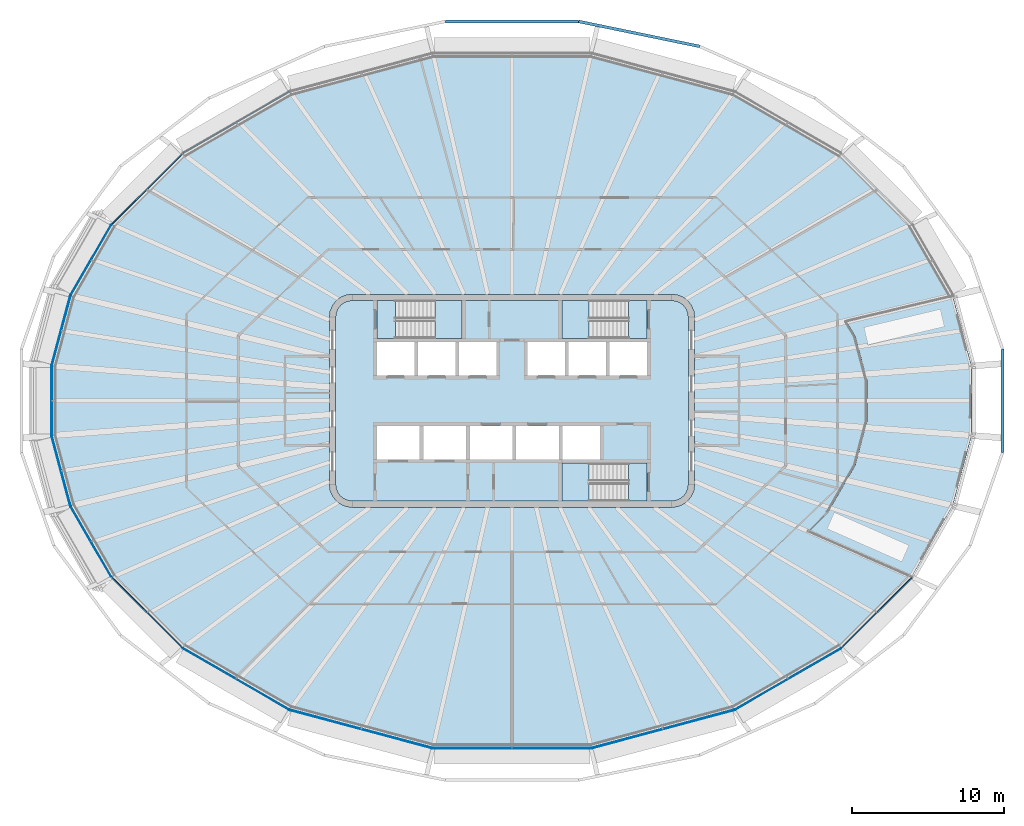
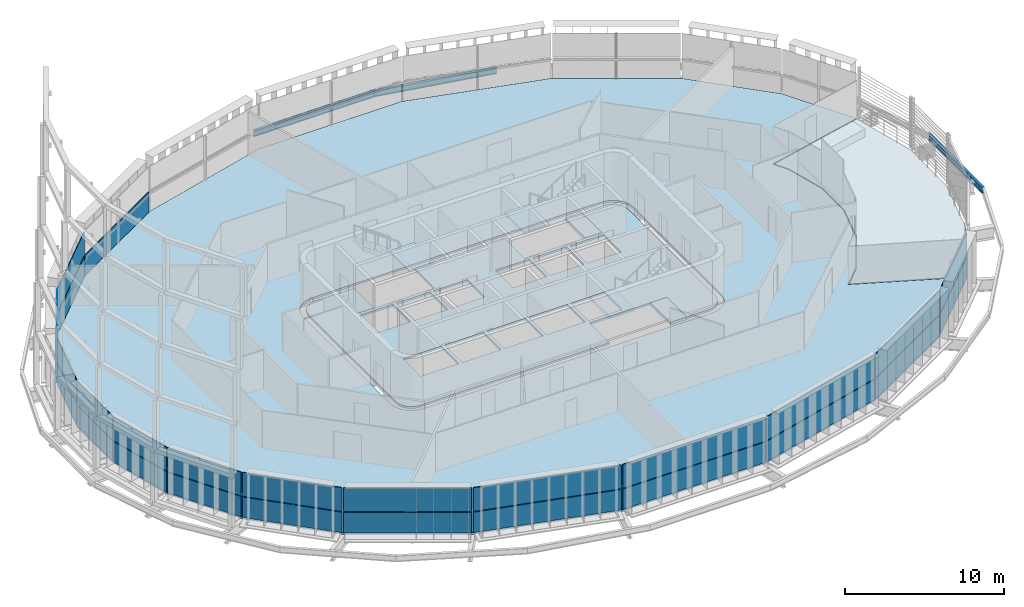
# One storey, part 8 of 21: 27 plates, 9 slabs, 3 beams, 17 elements without a shape of their own.
"""IFC4 building model written with IfcOpenShell, lengths in metres."""

from ifc_helpers import new_model, si_unit, direction, frame, origin, origin_2d, place, context, subcontext, project, spatial, polyline, i_section, outline, extrude, material, layer, layer_set, material_profile, profile_set, type_object, element, aggregate, save


model = new_model("IFC4")

# Units and contexts
model_context = context("Model", 3, precision=1e-05, world=origin(), true_north=direction((0.0, 1.0)))
body_context = subcontext(model_context, "Body", "Model", "MODEL_VIEW")
ifc_project = project(units=[si_unit("LENGTHUNIT", "METRE"), si_unit("AREAUNIT", "SQUARE_METRE"), si_unit("VOLUMEUNIT", "CUBIC_METRE"), si_unit("PLANEANGLEUNIT", "RADIAN"), si_unit("MASSUNIT", "GRAM", prefix="KILO")], contexts=[model_context])

# Site, building, storey
site_placement = place(None, origin())
site = spatial("IfcSite", under=ifc_project, at=site_placement, CompositionType="ELEMENT")
building_placement = place(site_placement, origin())
building = spatial("IfcBuilding", under=site, at=building_placement, Name="Sahrelin Media Tower", CompositionType="ELEMENT")
storey_placement = place(building_placement, frame((0.0, 0.0, 259.0)))
storey = spatial("IfcBuildingStorey", under=building, at=storey_placement, Name="L56", CompositionType="ELEMENT", Elevation=259.0)

# Beams
ifc_material_1 = material(Name="Steel S355", Category="steel")
ifc_material_profile = material_profile(ifc_material_1, i_section(OverallWidth=0.1904296875, OverallDepth=0.45703125, WebThickness=0.009033203125, FlangeThickness=0.014404296875, FilletRadius=0.01025390625, at=origin_2d()), Name="UB 457x191x74")
ifc_profile_set = profile_set([ifc_material_profile], Name="Steel S355")
beam_type = type_object("IfcBeamType", Name="Tie chord TC5", PredefinedType="BEAM", material=ifc_profile_set)
beam_1_placement = place(storey_placement, frame((12.328369140625, 23.2978515625, -0.37841796875), z_axis=(-0.979391781368, 0.20196964769, 0.0), x_axis=(-0.20196964769, -0.979391781368, 0.0)))
element("IfcBeam", 1, at=beam_1_placement, inside=storey, type_object=beam_type, Name="Tie chord L56-05", PredefinedType="BEAM", context=body_context, shape_type="SweptSolid", body=[
    extrude(i_section(OverallWidth=0.1904296875, OverallDepth=0.45703125, WebThickness=0.009033203125, FlangeThickness=0.014404296875, FilletRadius=0.01025390625, at=origin_2d()), origin(), (0.0, 0.0, 1.0), 8.1123046875),
])
beam_2_placement = place(storey_placement, frame((4.38330078125, 24.936279296875, -0.37841796875), z_axis=(-1.0, 0.0, 0.0), x_axis=(0.0, -1.0, 0.0)))
element("IfcBeam", 2, at=beam_2_placement, inside=storey, type_object=beam_type, Name="Tie chord L56-06", PredefinedType="BEAM", context=body_context, shape_type="SweptSolid", body=[
    extrude(i_section(OverallWidth=0.1904296875, OverallDepth=0.45703125, WebThickness=0.009033203125, FlangeThickness=0.014404296875, FilletRadius=0.01025390625, at=origin_2d()), origin(), (0.0, 0.0, 1.0), 8.7666015625),
])
beam_3_placement = place(storey_placement, frame((32.24853515625, -3.404541015625, -0.37841796875), z_axis=(0.0, 1.0, 0.0), x_axis=(-1.0, 0.0, 0.0)))
element("IfcBeam", 3, at=beam_3_placement, inside=storey, type_object=beam_type, Name="Tie chord L56-24", PredefinedType="BEAM", context=body_context, shape_type="SweptSolid", body=[
    extrude(i_section(OverallWidth=0.1904296875, OverallDepth=0.45703125, WebThickness=0.009033203125, FlangeThickness=0.014404296875, FilletRadius=0.01025390625, at=origin_2d()), origin(), (0.0, 0.0, 1.0), 6.80908203125),
])

# Slabs
ifc_material_2 = material(Name="Concrete C40/50", Category="concrete")
ifc_layer_1 = layer(ifc_material_2, 0.14990234375)
ifc_layer_set_1 = layer_set([ifc_layer_1], Name="Composite floor slab 150")
slab_type_1 = type_object("IfcSlabType", Name="Composite floor slab 150", PredefinedType="FLOOR", material=ifc_layer_set_1)
placement_1 = place(storey_placement, frame((0.0, 0.0, -0.14990234375)))
element("IfcSlab", 4, at=placement_1, inside=storey, type_object=slab_type_1, Name="Floor slab L56", PredefinedType="FLOOR", context=body_context, shape_type="SweptSolid", body=[
    extrude(outline(polyline([(21.660888671875, -16.245849609375), (26.302001953125, -11.6044921875), (19.452880859375, -8.582763671875), (20.72021484375, -7.315185546875), (22.514404296875, -4.207763671875), (23.275390625, -1.3671875), (23.275390625, 1.3671875), (22.514404296875, 4.207763671875), (21.930908203125, 5.218505859375), (29.01708984375, 6.90478515625), (26.3056640625, 11.60107421875), (21.660888671875, 16.245849609375), (14.603271484375, 20.32080078125), (5.210693359375, 22.83740234375), (-5.210693359375, 22.83740234375), (-14.603271484375, 20.32080078125), (-21.660888671875, 16.245849609375), (-26.3056640625, 11.60107421875), (-29.018798828125, 6.902099609375), (-30.255615234375, 2.2861328125), (-30.255615234375, -2.2861328125), (-29.018798828125, -6.902099609375), (-26.3056640625, -11.60107421875), (-21.660888671875, -16.245849609375), (-14.603271484375, -20.32080078125), (-5.210693359375, -22.83740234375), (5.210693359375, -22.83740234375), (14.603271484375, -20.32080078125), (21.660888671875, -16.245849609375)]), holes=[polyline([(11.799072265625, 6.25), (11.948974609375, 5.88818359375), (12.0, 5.5), (12.0, -5.5), (11.948974609375, -5.88818359375), (11.799072265625, -6.25), (11.560791015625, -6.560791015625), (11.25, -6.799072265625), (10.88818359375, -6.948974609375), (10.5, -7.0), (-10.5, -7.0), (-10.88818359375, -6.948974609375), (-11.25, -6.799072265625), (-11.560791015625, -6.560791015625), (-11.799072265625, -6.25), (-11.948974609375, -5.88818359375), (-12.0, -5.5), (-12.0, 5.5), (-11.948974609375, 5.88818359375), (-11.799072265625, 6.25), (-11.560791015625, 6.560791015625), (-11.25, 6.799072265625), (-10.88818359375, 6.948974609375), (-10.5, 7.0), (10.5, 7.0), (10.88818359375, 6.948974609375), (11.25, 6.799072265625), (11.560791015625, 6.560791015625), (11.799072265625, 6.25)])]), origin(), (0.0, 0.0, 1.0), 0.14990234375),
])
ifc_layer_2 = layer(ifc_material_2, 0.14990234375)
ifc_layer_set_2 = layer_set([ifc_layer_2], Name="Core floor slab 150")
slab_type_2 = type_object("IfcSlabType", Name="Core floor slab 150", PredefinedType="FLOOR", material=ifc_layer_set_2)
element("IfcSlab", 5, at=placement_1, inside=storey, type_object=slab_type_2, Name="Core floor", PredefinedType="FLOOR", context=body_context, shape_type="SweptSolid", body=[
    extrude(outline(polyline([(-11.60009765625, -5.473876953125), (-11.55908203125, -5.78369140625), (-11.44970703125, -6.04833984375), (-11.275390625, -6.275390625), (-11.04833984375, -6.44970703125), (-10.78369140625, -6.55908203125), (-10.473876953125, -6.60009765625), (3.27490234375, -6.60009765625), (3.27490234375, -4.10009765625), (8.875, -4.10009765625), (8.875, -6.60009765625), (10.473876953125, -6.60009765625), (10.78369140625, -6.55908203125), (11.04833984375, -6.44970703125), (11.275390625, -6.275390625), (11.44970703125, -6.04833984375), (11.55908203125, -5.78369140625), (11.60009765625, -5.473876953125), (11.60009765625, 5.473876953125), (11.55908203125, 5.78369140625), (11.44970703125, 6.04833984375), (11.275390625, 6.275390625), (11.04833984375, 6.44970703125), (10.78369140625, 6.55908203125), (10.473876953125, 6.60009765625), (8.875, 6.60009765625), (8.875, 4.10009765625), (3.27490234375, 4.10009765625), (3.27490234375, 6.60009765625), (-3.27490234375, 6.60009765625), (-3.27490234375, 4.10009765625), (-8.875, 4.10009765625), (-8.875, 6.60009765625), (-10.473876953125, 6.60009765625), (-10.78369140625, 6.55908203125), (-11.04833984375, 6.44970703125), (-11.275390625, 6.275390625), (-11.44970703125, 6.04833984375), (-11.55908203125, 5.78369140625), (-11.60009765625, 5.473876953125), (-11.60009765625, -5.473876953125)]), holes=[polyline([(-8.875, 3.85009765625), (-8.875, 1.64990234375), (-6.425048828125, 1.64990234375), (-6.425048828125, 3.85009765625), (-8.875, 3.85009765625)]), polyline([(-3.72509765625, 3.85009765625), (-6.175048828125, 3.85009765625), (-6.175048828125, 1.64990234375), (-3.72509765625, 1.64990234375), (-3.72509765625, 3.85009765625)]), polyline([(-1.02490234375, 1.64990234375), (-1.02490234375, 3.85009765625), (-3.47509765625, 3.85009765625), (-3.47509765625, 1.64990234375), (-1.02490234375, 1.64990234375)]), polyline([(1.02490234375, 1.64990234375), (3.47509765625, 1.64990234375), (3.47509765625, 3.85009765625), (1.02490234375, 3.85009765625), (1.02490234375, 1.64990234375)]), polyline([(3.72509765625, 3.85009765625), (3.72509765625, 1.64990234375), (6.175048828125, 1.64990234375), (6.175048828125, 3.85009765625), (3.72509765625, 3.85009765625)]), polyline([(8.875, 3.85009765625), (6.425048828125, 3.85009765625), (6.425048828125, 1.64990234375), (8.875, 1.64990234375), (8.875, 3.85009765625)]), polyline([(-6.074951171875, -3.85009765625), (-6.074951171875, -1.64990234375), (-8.875, -1.64990234375), (-8.875, -3.85009765625), (-6.074951171875, -3.85009765625)]), polyline([(-5.824951171875, -3.85009765625), (-3.02490234375, -3.85009765625), (-3.02490234375, -1.64990234375), (-5.824951171875, -1.64990234375), (-5.824951171875, -3.85009765625)]), polyline([(-2.77490234375, -1.64990234375), (-2.77490234375, -3.85009765625), (0.02490234375, -3.85009765625), (0.02490234375, -1.64990234375), (-2.77490234375, -1.64990234375)]), polyline([(3.074951171875, -1.64990234375), (0.27490234375, -1.64990234375), (0.27490234375, -3.85009765625), (3.074951171875, -3.85009765625), (3.074951171875, -1.64990234375)]), polyline([(5.77490234375, -3.85009765625), (5.77490234375, -1.64990234375), (3.324951171875, -1.64990234375), (3.324951171875, -3.85009765625), (5.77490234375, -3.85009765625)])]), origin(), (0.0, 0.0, 1.0), 0.14990234375),
])

# Curtain wall, plate
ifc_material_3 = material(Name="Champagne anodised aluminium 6063-T6", Category="aluminium")
ifc_layer_3 = layer(ifc_material_3, 0.14990234375)
ifc_layer_set_3 = layer_set([ifc_layer_3], Name="Tower ribbon curtain wall")
curtain_wall_type = type_object("IfcCurtainWallType", Name="Tower ribbon curtain wall", PredefinedType="NOTDEFINED", material=ifc_layer_set_3)
curtain_wall_1_placement = place(storey_placement, frame((-23.997314453125, 13.9375, 0.0), z_axis=(0.0, 0.0, 1.0), x_axis=(1.0, 0.0, 0.0)))
curtain_wall_1 = element("IfcCurtainWall", 6, at=curtain_wall_1_placement, inside=storey, type_object=curtain_wall_type, Name="L56:CW:L56-09", PredefinedType="NOTDEFINED")
ifc_material_4 = material(Name="Clear low-iron glazing", Category="glass")
ifc_layer_4 = layer(ifc_material_4, 0.048095703125)
ifc_layer_set_4 = layer_set([ifc_layer_4], Name="Glazing panel 48 mm CW1C")
plate_type_1 = type_object("IfcPlateType", Name="Glazing panel 48 mm CW1C", PredefinedType="CURTAIN_PANEL", material=ifc_layer_set_4)
plate_1_placement = place(storey_placement, frame((-21.72265625, 16.24072265625, 1.6298828125), z_axis=(-0.707106781187, 0.707106781187, 0.0), x_axis=(-0.707106781187, -0.707106781187, 0.0)))
plate_1 = element("IfcPlate", 7, at=plate_1_placement, type_object=plate_type_1, Name="L56:CWP2:L56-09", PredefinedType="CURTAIN_PANEL", context=body_context, shape_type="SweptSolid", body=[
    extrude(outline(polyline([(0.0, 0.0), (6.47412109375, 0.0), (6.47412109375, 1.818603515625), (0.0, 1.818603515625), (0.0, 0.0)])), origin(), (0.0, 0.0, -1.0), 0.048095703125),
])

curtain_wall_2_placement = place(storey_placement, frame((-27.6796875, 9.261474609375, 0.0), z_axis=(0.0, 0.0, 1.0), x_axis=(1.0, 0.0, 0.0)))
curtain_wall_2 = element("IfcCurtainWall", 8, at=curtain_wall_2_placement, inside=storey, type_object=curtain_wall_type, Name="L56:CW:L56-10", PredefinedType="NOTDEFINED")
plate_2_placement = place(storey_placement, frame((-26.364013671875, 11.580078125, 1.6298828125), z_axis=(-0.866022395588, 0.500005210312, 0.0), x_axis=(-0.500005210312, -0.866022395588, 0.0)))
plate_2 = element("IfcPlate", 9, at=plate_2_placement, type_object=plate_type_1, Name="L56:CWP2:L56-10", PredefinedType="CURTAIN_PANEL", context=body_context, shape_type="SweptSolid", body=[
    extrude(outline(polyline([(0.0, 0.0), (5.33154296875, 0.0), (5.33154296875, 1.818603515625), (0.0, 1.818603515625), (0.0, 0.0)])), origin(), (0.0, 0.0, -1.0), 0.048095703125),
])

curtain_wall_3_placement = place(storey_placement, frame((-29.656494140625, 4.59912109375, 0.0), z_axis=(0.0, 0.0, 1.0), x_axis=(1.0, 0.0, 0.0)))
curtain_wall_3 = element("IfcCurtainWall", 10, at=curtain_wall_3_placement, inside=storey, type_object=curtain_wall_type, Name="L56:CW:L56-11", PredefinedType="NOTDEFINED")
plate_3_placement = place(storey_placement, frame((-29.069580078125, 6.86669921875, 1.6298828125), z_axis=(-0.965921062638, 0.258836822634, 0.0), x_axis=(-0.258836822634, -0.965921062638, 0.0)))
plate_3 = element("IfcPlate", 11, at=plate_3_placement, type_object=plate_type_1, Name="L56:CWP2:L56-11", PredefinedType="CURTAIN_PANEL", context=body_context, shape_type="SweptSolid", body=[
    extrude(outline(polyline([(0.0, 0.0), (4.68408203125, 0.0), (4.68408203125, 1.818603515625), (0.0, 1.818603515625), (0.0, 0.0)])), origin(), (0.0, 0.0, -1.0), 0.048095703125),
])

curtain_wall_4_placement = place(storey_placement, frame((-30.275390625, 0.0, 0.0), z_axis=(0.0, 0.0, 1.0), x_axis=(1.0, 0.0, 0.0)))
curtain_wall_4 = element("IfcCurtainWall", 12, at=curtain_wall_4_placement, inside=storey, type_object=curtain_wall_type, Name="L56:CW:L56-12", PredefinedType="NOTDEFINED")
plate_4_placement = place(storey_placement, frame((-30.29541015625, 2.23876953125, 1.6298828125), z_axis=(-1.0, 0.0, 0.0), x_axis=(0.0, -1.0, 0.0)))
plate_4 = element("IfcPlate", 13, at=plate_4_placement, type_object=plate_type_1, Name="L56:CWP2:L56-12", PredefinedType="CURTAIN_PANEL", context=body_context, shape_type="SweptSolid", body=[
    extrude(outline(polyline([(0.0, 0.0), (4.4775390625, 0.0), (4.4775390625, 1.818603515625), (0.0, 1.818603515625), (0.0, 0.0)])), origin(), (0.0, 0.0, -1.0), 0.048095703125),
])

curtain_wall_5_placement = place(storey_placement, frame((-29.656494140625, -4.599365234375, 0.0), z_axis=(0.0, 0.0, 1.0), x_axis=(1.0, 0.0, 0.0)))
curtain_wall_5 = element("IfcCurtainWall", 14, at=curtain_wall_5_placement, inside=storey, type_object=curtain_wall_type, Name="L56:CW:L56-13", PredefinedType="NOTDEFINED")
plate_5_placement = place(storey_placement, frame((-30.281982421875, -2.34228515625, 1.6298828125), z_axis=(-0.965921062638, -0.258836822634, 0.0), x_axis=(0.258836822634, -0.965921062638, 0.0)))
plate_5 = element("IfcPlate", 15, at=plate_5_placement, type_object=plate_type_1, Name="L56:CWP2:L56-13", PredefinedType="CURTAIN_PANEL", context=body_context, shape_type="SweptSolid", body=[
    extrude(outline(polyline([(0.0, 0.0), (4.68408203125, 0.0), (4.68408203125, 1.818603515625), (0.0, 1.818603515625), (0.0, 0.0)])), origin(), (0.0, 0.0, -1.0), 0.048095703125),
])

curtain_wall_6_placement = place(storey_placement, frame((-27.679443359375, -9.261474609375, 0.0), z_axis=(0.0, 0.0, 1.0), x_axis=(1.0, 0.0, 0.0)))
curtain_wall_6 = element("IfcCurtainWall", 16, at=curtain_wall_6_placement, inside=storey, type_object=curtain_wall_type, Name="L56:CW:L56-14", PredefinedType="NOTDEFINED")
plate_6_placement = place(storey_placement, frame((-29.02978515625, -6.962890625, 1.6298828125), z_axis=(-0.866022395588, -0.500005210312, 0.0), x_axis=(0.500005210312, -0.866022395588, 0.0)))
plate_6 = element("IfcPlate", 17, at=plate_6_placement, type_object=plate_type_1, Name="L56:CWP2:L56-14", PredefinedType="CURTAIN_PANEL", context=body_context, shape_type="SweptSolid", body=[
    extrude(outline(polyline([(0.0, 0.0), (5.33154296875, 0.0), (5.33154296875, 1.818603515625), (0.0, 1.818603515625), (0.0, 0.0)])), origin(), (0.0, 0.0, -1.0), 0.048095703125),
])

curtain_wall_7_placement = place(storey_placement, frame((-23.997314453125, -13.9375, 0.0), z_axis=(0.0, 0.0, 1.0), x_axis=(1.0, 0.0, 0.0)))
curtain_wall_7 = element("IfcCurtainWall", 18, at=curtain_wall_7_placement, inside=storey, type_object=curtain_wall_type, Name="L56:CW:L56-15", PredefinedType="NOTDEFINED")
plate_7_placement = place(storey_placement, frame((-26.300537109375, -11.662841796875, 1.6298828125), z_axis=(-0.707106781187, -0.707106781187, 0.0), x_axis=(0.707106781187, -0.707106781187, 0.0)))
plate_7 = element("IfcPlate", 19, at=plate_7_placement, type_object=plate_type_1, Name="L56:CWP2:L56-15", PredefinedType="CURTAIN_PANEL", context=body_context, shape_type="SweptSolid", body=[
    extrude(outline(polyline([(0.0, 0.0), (6.47412109375, 0.0), (6.47412109375, 1.818603515625), (0.0, 1.818603515625), (0.0, 0.0)])), origin(), (0.0, 0.0, -1.0), 0.048095703125),
])

curtain_wall_8_placement = place(storey_placement, frame((-18.14208984375, -18.300537109375, 0.0), z_axis=(0.0, 0.0, 1.0), x_axis=(1.0, 0.0, 0.0)))
curtain_wall_8 = element("IfcCurtainWall", 20, at=curtain_wall_8_placement, inside=storey, type_object=curtain_wall_type, Name="L56:CW:L56-16", PredefinedType="NOTDEFINED")
plate_8_placement = place(storey_placement, frame((-21.639892578125, -16.30419921875, 1.6298828125), z_axis=(-0.499998820369, -0.866026084844, 0.0), x_axis=(0.866026084844, -0.499998820369, 0.0)))
plate_8 = element("IfcPlate", 21, at=plate_8_placement, type_object=plate_type_1, Name="L56:CWP2:L56-16", PredefinedType="CURTAIN_PANEL", context=body_context, shape_type="SweptSolid", body=[
    extrude(outline(polyline([(0.0, 0.0), (8.0546875, 0.0), (8.0546875, 1.818603515625), (0.0, 1.818603515625), (0.0, 0.0)])), origin(), (0.0, 0.0, -1.0), 0.048095703125),
])

curtain_wall_9_placement = place(storey_placement, frame((-9.912109375, -21.598388671875, 0.0), z_axis=(0.0, 0.0, 1.0), x_axis=(1.0, 0.0, 0.0)))
curtain_wall_9 = element("IfcCurtainWall", 22, at=curtain_wall_9_placement, inside=storey, type_object=curtain_wall_type, Name="L56:CW:L56-17", PredefinedType="NOTDEFINED")
plate_9_placement = place(storey_placement, frame((-14.56787109375, -20.37158203125, 1.6298828125), z_axis=(-0.258811278244, -0.965927907379, 0.0), x_axis=(0.965927907379, -0.258811278244, 0.0)))
plate_9 = element("IfcPlate", 23, at=plate_9_placement, type_object=plate_type_1, Name="L56:CWP2:L56-17", PredefinedType="CURTAIN_PANEL", context=body_context, shape_type="SweptSolid", body=[
    extrude(outline(polyline([(0.0, 0.0), (9.62939453125, 0.0), (9.62939453125, 1.818603515625), (0.0, 1.818603515625), (0.0, 0.0)])), origin(), (0.0, 0.0, -1.0), 0.048095703125),
])

curtain_wall_10_placement = place(storey_placement, frame((0.0, -22.857421875, 0.0), z_axis=(0.0, 0.0, 1.0), x_axis=(1.0, 0.0, 0.0)))
curtain_wall_10 = element("IfcCurtainWall", 24, at=curtain_wall_10_placement, inside=storey, type_object=curtain_wall_type, Name="L56:CW:L56-18", PredefinedType="NOTDEFINED")
plate_10_placement = place(storey_placement, frame((-5.1630859375, -22.87744140625, 1.6298828125), z_axis=(0.0, -1.0, 0.0), x_axis=(1.0, 0.0, 0.0)))
plate_10 = element("IfcPlate", 25, at=plate_10_placement, type_object=plate_type_1, Name="L56:CWP2:L56-18", PredefinedType="CURTAIN_PANEL", context=body_context, shape_type="SweptSolid", body=[
    extrude(outline(polyline([(0.0, 0.0), (10.326171875, 0.0), (10.326171875, 1.818603515625), (0.0, 1.818603515625), (0.0, 0.0)])), origin(), (0.0, 0.0, -1.0), 0.048095703125),
])

curtain_wall_11_placement = place(storey_placement, frame((9.912109375, -21.598388671875, 0.0), z_axis=(0.0, 0.0, 1.0), x_axis=(1.0, 0.0, 0.0)))
curtain_wall_11 = element("IfcCurtainWall", 26, at=curtain_wall_11_placement, inside=storey, type_object=curtain_wall_type, Name="L56:CW:L56-19", PredefinedType="NOTDEFINED")
plate_11_placement = place(storey_placement, frame((5.2666015625, -22.86376953125, 1.6298828125), z_axis=(0.258811278244, -0.965927907379, 0.0), x_axis=(0.965927907379, 0.258811278244, 0.0)))
plate_11 = element("IfcPlate", 27, at=plate_11_placement, type_object=plate_type_1, Name="L56:CWP2:L56-19", PredefinedType="CURTAIN_PANEL", context=body_context, shape_type="SweptSolid", body=[
    extrude(outline(polyline([(0.0, 0.0), (9.62939453125, 0.0), (9.62939453125, 1.818603515625), (0.0, 1.818603515625), (0.0, 0.0)])), origin(), (0.0, 0.0, -1.0), 0.048095703125),
])

curtain_wall_12_placement = place(storey_placement, frame((18.14208984375, -18.300537109375, 0.0), z_axis=(0.0, 0.0, 1.0), x_axis=(1.0, 0.0, 0.0)))
curtain_wall_12 = element("IfcCurtainWall", 28, at=curtain_wall_12_placement, inside=storey, type_object=curtain_wall_type, Name="L56:CW:L56-20", PredefinedType="NOTDEFINED")
plate_12_placement = place(storey_placement, frame((14.664306640625, -20.33154296875, 1.6298828125), z_axis=(0.499998820369, -0.866026084844, 0.0), x_axis=(0.866026084844, 0.499998820369, 0.0)))
plate_12 = element("IfcPlate", 29, at=plate_12_placement, type_object=plate_type_1, Name="L56:CWP2:L56-20", PredefinedType="CURTAIN_PANEL", context=body_context, shape_type="SweptSolid", body=[
    extrude(outline(polyline([(0.0, 0.0), (8.0546875, 0.0), (8.0546875, 1.818603515625), (0.0, 1.818603515625), (0.0, 0.0)])), origin(), (0.0, 0.0, -1.0), 0.048095703125),
])

curtain_wall_13_placement = place(storey_placement, frame((23.997314453125, -13.9375, 0.0), z_axis=(0.0, 0.0, 1.0), x_axis=(1.0, 0.0, 0.0)))
curtain_wall_13 = element("IfcCurtainWall", 30, at=curtain_wall_13_placement, inside=storey, type_object=curtain_wall_type, Name="L56:CW:L56-21", PredefinedType="NOTDEFINED")
plate_13_placement = place(storey_placement, frame((21.72265625, -16.24072265625, 1.6298828125), z_axis=(0.707106781187, -0.707106781187, 0.0), x_axis=(0.707106781187, 0.707106781187, 0.0)))
plate_13 = element("IfcPlate", 31, at=plate_13_placement, type_object=plate_type_1, Name="L56:CWP2:L56-21", PredefinedType="CURTAIN_PANEL", context=body_context, shape_type="SweptSolid", body=[
    extrude(outline(polyline([(0.0, 0.0), (6.47412109375, 0.0), (6.47412109375, 1.818603515625), (0.0, 1.818603515625), (0.0, 0.0)])), origin(), (0.0, 0.0, -1.0), 0.048095703125),
])

# Slab
ifc_layer_5 = layer(ifc_material_2, 0.199951171875)
ifc_layer_set_5 = layer_set([ifc_layer_5], Name="Sky garden terrace slab")
slab_type_3 = type_object("IfcSlabType", Name="Sky garden terrace slab", PredefinedType="FLOOR", material=ifc_layer_set_5)
placement_2 = place(storey_placement, frame((0.0, 0.0, -0.199951171875)))
element("IfcSlab", 32, at=placement_2, inside=storey, type_object=slab_type_3, Name="Sky garden terrace G7", PredefinedType="FLOOR", context=body_context, shape_type="SweptSolid", body=[
    extrude(outline(polyline([(30.2255859375, -2.2822265625), (28.99072265625, -6.890380859375), (26.30078125, -11.54931640625), (19.539794921875, -8.56640625), (20.76025390625, -7.345947265625), (22.56103515625, -4.22705078125), (23.325439453125, -1.373779296875), (23.325439453125, 1.373779296875), (22.56103515625, 4.22705078125), (22.0078125, 5.185546875), (29.001708984375, 6.849853515625), (30.2255859375, 2.2822265625), (30.2255859375, -2.2822265625)])), origin(), (0.0, 0.0, 1.0), 0.199951171875),
])

# Curtain wall, plate
curtain_wall_14_placement = place(storey_placement, frame((-18.14208984375, 18.300537109375, 0.0), z_axis=(0.0, 0.0, 1.0), x_axis=(1.0, 0.0, 0.0)))
curtain_wall_14 = element("IfcCurtainWall", 33, at=curtain_wall_14_placement, inside=storey, type_object=curtain_wall_type, Name="L56:CW:L56-08", PredefinedType="NOTDEFINED")
ifc_material_5 = material(Name="Insulated spandrel panel")
ifc_layer_6 = layer(ifc_material_5, 0.06005859375)
ifc_layer_set_6 = layer_set([ifc_layer_6], Name="Spandrel panel 60 mm CW1")
plate_type_2 = type_object("IfcPlateType", Name="Spandrel panel 60 mm CW1", PredefinedType="SHEET", material=ifc_layer_set_6)
plate_14_placement = place(storey_placement, frame((-14.664306640625, 20.33154296875, 0.0), z_axis=(-0.499998820369, 0.866026084844, 0.0), x_axis=(-0.866026084844, -0.499998820369, 0.0)))
plate_14 = element("IfcPlate", 34, at=plate_14_placement, type_object=plate_type_2, Name="L56:CWP1:L56-08", PredefinedType="SHEET", context=body_context, shape_type="SweptSolid", body=[
    extrude(outline(polyline([(0.0, 0.0), (8.0546875, 0.0), (8.0546875, 1.570068359375), (0.0, 1.570068359375), (0.0, 0.0)])), origin(), (0.0, 0.0, -1.0), 0.06005859375),
])
aggregate(curtain_wall_14, [plate_14])

# Plate
plate_15_placement = place(storey_placement, frame((-21.72265625, 16.24072265625, 0.0), z_axis=(-0.707106781187, 0.707106781187, 0.0), x_axis=(-0.707106781187, -0.707106781187, 0.0)))
plate_15 = element("IfcPlate", 35, at=plate_15_placement, type_object=plate_type_2, Name="L56:CWP1:L56-09", PredefinedType="SHEET", context=body_context, shape_type="SweptSolid", body=[
    extrude(outline(polyline([(0.0, 0.0), (6.47412109375, 0.0), (6.47412109375, 1.570068359375), (0.0, 1.570068359375), (0.0, 0.0)])), origin(), (0.0, 0.0, -1.0), 0.06005859375),
])

aggregate(curtain_wall_1, [plate_15, plate_1])

plate_16_placement = place(storey_placement, frame((-26.364013671875, 11.580078125, 0.0), z_axis=(-0.866022395588, 0.500005210312, 0.0), x_axis=(-0.500005210312, -0.866022395588, 0.0)))
plate_16 = element("IfcPlate", 36, at=plate_16_placement, type_object=plate_type_2, Name="L56:CWP1:L56-10", PredefinedType="SHEET", context=body_context, shape_type="SweptSolid", body=[
    extrude(outline(polyline([(0.0, 0.0), (5.33154296875, 0.0), (5.33154296875, 1.570068359375), (0.0, 1.570068359375), (0.0, 0.0)])), origin(), (0.0, 0.0, -1.0), 0.06005859375),
])

aggregate(curtain_wall_2, [plate_16, plate_2])

plate_17_placement = place(storey_placement, frame((-29.069580078125, 6.86669921875, 0.0), z_axis=(-0.965921062638, 0.258836822634, 0.0), x_axis=(-0.258836822634, -0.965921062638, 0.0)))
plate_17 = element("IfcPlate", 37, at=plate_17_placement, type_object=plate_type_2, Name="L56:CWP1:L56-11", PredefinedType="SHEET", context=body_context, shape_type="SweptSolid", body=[
    extrude(outline(polyline([(0.0, 0.0), (4.68408203125, 0.0), (4.68408203125, 1.570068359375), (0.0, 1.570068359375), (0.0, 0.0)])), origin(), (0.0, 0.0, -1.0), 0.06005859375),
])

aggregate(curtain_wall_3, [plate_17, plate_3])

plate_18_placement = place(storey_placement, frame((-30.29541015625, 2.23876953125, 0.0), z_axis=(-1.0, 0.0, 0.0), x_axis=(0.0, -1.0, 0.0)))
plate_18 = element("IfcPlate", 38, at=plate_18_placement, type_object=plate_type_2, Name="L56:CWP1:L56-12", PredefinedType="SHEET", context=body_context, shape_type="SweptSolid", body=[
    extrude(outline(polyline([(0.0, 0.0), (4.4775390625, 0.0), (4.4775390625, 1.570068359375), (0.0, 1.570068359375), (0.0, 0.0)])), origin(), (0.0, 0.0, -1.0), 0.06005859375),
])

aggregate(curtain_wall_4, [plate_18, plate_4])

plate_19_placement = place(storey_placement, frame((-30.281982421875, -2.34228515625, 0.0), z_axis=(-0.965921062638, -0.258836822634, 0.0), x_axis=(0.258836822634, -0.965921062638, 0.0)))
plate_19 = element("IfcPlate", 39, at=plate_19_placement, type_object=plate_type_2, Name="L56:CWP1:L56-13", PredefinedType="SHEET", context=body_context, shape_type="SweptSolid", body=[
    extrude(outline(polyline([(0.0, 0.0), (4.68408203125, 0.0), (4.68408203125, 1.570068359375), (0.0, 1.570068359375), (0.0, 0.0)])), origin(), (0.0, 0.0, -1.0), 0.06005859375),
])

aggregate(curtain_wall_5, [plate_19, plate_5])

plate_20_placement = place(storey_placement, frame((-29.02978515625, -6.962890625, 0.0), z_axis=(-0.866022395588, -0.500005210312, 0.0), x_axis=(0.500005210312, -0.866022395588, 0.0)))
plate_20 = element("IfcPlate", 40, at=plate_20_placement, type_object=plate_type_2, Name="L56:CWP1:L56-14", PredefinedType="SHEET", context=body_context, shape_type="SweptSolid", body=[
    extrude(outline(polyline([(0.0, 0.0), (5.33154296875, 0.0), (5.33154296875, 1.570068359375), (0.0, 1.570068359375), (0.0, 0.0)])), origin(), (0.0, 0.0, -1.0), 0.06005859375),
])

aggregate(curtain_wall_6, [plate_20, plate_6])

plate_21_placement = place(storey_placement, frame((-26.300537109375, -11.662841796875, 0.0), z_axis=(-0.707106781187, -0.707106781187, 0.0), x_axis=(0.707106781187, -0.707106781187, 0.0)))
plate_21 = element("IfcPlate", 41, at=plate_21_placement, type_object=plate_type_2, Name="L56:CWP1:L56-15", PredefinedType="SHEET", context=body_context, shape_type="SweptSolid", body=[
    extrude(outline(polyline([(0.0, 0.0), (6.47412109375, 0.0), (6.47412109375, 1.570068359375), (0.0, 1.570068359375), (0.0, 0.0)])), origin(), (0.0, 0.0, -1.0), 0.06005859375),
])

aggregate(curtain_wall_7, [plate_21, plate_7])

plate_22_placement = place(storey_placement, frame((-21.639892578125, -16.30419921875, 0.0), z_axis=(-0.499998820369, -0.866026084844, 0.0), x_axis=(0.866026084844, -0.499998820369, 0.0)))
plate_22 = element("IfcPlate", 42, at=plate_22_placement, type_object=plate_type_2, Name="L56:CWP1:L56-16", PredefinedType="SHEET", context=body_context, shape_type="SweptSolid", body=[
    extrude(outline(polyline([(0.0, 0.0), (8.0546875, 0.0), (8.0546875, 1.570068359375), (0.0, 1.570068359375), (0.0, 0.0)])), origin(), (0.0, 0.0, -1.0), 0.06005859375),
])

aggregate(curtain_wall_8, [plate_22, plate_8])

plate_23_placement = place(storey_placement, frame((-14.56787109375, -20.37158203125, 0.0), z_axis=(-0.258811278244, -0.965927907379, 0.0), x_axis=(0.965927907379, -0.258811278244, 0.0)))
plate_23 = element("IfcPlate", 43, at=plate_23_placement, type_object=plate_type_2, Name="L56:CWP1:L56-17", PredefinedType="SHEET", context=body_context, shape_type="SweptSolid", body=[
    extrude(outline(polyline([(0.0, 0.0), (9.62939453125, 0.0), (9.62939453125, 1.570068359375), (0.0, 1.570068359375), (0.0, 0.0)])), origin(), (0.0, 0.0, -1.0), 0.06005859375),
])

aggregate(curtain_wall_9, [plate_23, plate_9])

plate_24_placement = place(storey_placement, frame((-5.1630859375, -22.87744140625, 0.0), z_axis=(0.0, -1.0, 0.0), x_axis=(1.0, 0.0, 0.0)))
plate_24 = element("IfcPlate", 44, at=plate_24_placement, type_object=plate_type_2, Name="L56:CWP1:L56-18", PredefinedType="SHEET", context=body_context, shape_type="SweptSolid", body=[
    extrude(outline(polyline([(0.0, 0.0), (10.326171875, 0.0), (10.326171875, 1.570068359375), (0.0, 1.570068359375), (0.0, 0.0)])), origin(), (0.0, 0.0, -1.0), 0.06005859375),
])

aggregate(curtain_wall_10, [plate_24, plate_10])

plate_25_placement = place(storey_placement, frame((5.2666015625, -22.86376953125, 0.0), z_axis=(0.258811278244, -0.965927907379, 0.0), x_axis=(0.965927907379, 0.258811278244, 0.0)))
plate_25 = element("IfcPlate", 45, at=plate_25_placement, type_object=plate_type_2, Name="L56:CWP1:L56-19", PredefinedType="SHEET", context=body_context, shape_type="SweptSolid", body=[
    extrude(outline(polyline([(0.0, 0.0), (9.62939453125, 0.0), (9.62939453125, 1.570068359375), (0.0, 1.570068359375), (0.0, 0.0)])), origin(), (0.0, 0.0, -1.0), 0.06005859375),
])

aggregate(curtain_wall_11, [plate_25, plate_11])

plate_26_placement = place(storey_placement, frame((14.664306640625, -20.33154296875, 0.0), z_axis=(0.499998820369, -0.866026084844, 0.0), x_axis=(0.866026084844, 0.499998820369, 0.0)))
plate_26 = element("IfcPlate", 46, at=plate_26_placement, type_object=plate_type_2, Name="L56:CWP1:L56-20", PredefinedType="SHEET", context=body_context, shape_type="SweptSolid", body=[
    extrude(outline(polyline([(0.0, 0.0), (8.0546875, 0.0), (8.0546875, 1.570068359375), (0.0, 1.570068359375), (0.0, 0.0)])), origin(), (0.0, 0.0, -1.0), 0.06005859375),
])

aggregate(curtain_wall_12, [plate_26, plate_12])

plate_27_placement = place(storey_placement, frame((21.72265625, -16.24072265625, 0.0), z_axis=(0.707106781187, -0.707106781187, 0.0), x_axis=(0.707106781187, 0.707106781187, 0.0)))
plate_27 = element("IfcPlate", 47, at=plate_27_placement, type_object=plate_type_2, Name="L56:CWP1:L56-21", PredefinedType="SHEET", context=body_context, shape_type="SweptSolid", body=[
    extrude(outline(polyline([(0.0, 0.0), (6.47412109375, 0.0), (6.47412109375, 1.570068359375), (0.0, 1.570068359375), (0.0, 0.0)])), origin(), (0.0, 0.0, -1.0), 0.06005859375),
])

aggregate(curtain_wall_13, [plate_27, plate_13])

# Stair, slabs
stair_type = type_object("IfcStairType", Name="Exit stair 1200", PredefinedType="HALF_TURN_STAIR", material=ifc_material_2)
placement_3 = place(storey_placement, origin())
stair_1 = element("IfcStair", 48, at=placement_3, inside=storey, type_object=stair_type, Name="L56 Exit stair ST1", PredefinedType="HALF_TURN_STAIR")
ifc_layer_7 = layer(ifc_material_2, 0.199951171875)
ifc_layer_set_7 = layer_set([ifc_layer_7], Name="Stair landing 200")
slab_type_4 = type_object("IfcSlabType", Name="Stair landing 200", PredefinedType="LANDING", material=ifc_layer_set_7)
placement_4 = place(storey_placement, frame((0.0, 0.0, 1.800048828125)))
slab_4 = element("IfcSlab", 49, at=placement_4, type_object=slab_type_4, Name="ST1 landing 1", PredefinedType="LANDING", context=body_context, shape_type="SweptSolid", body=[
    extrude(outline(polyline([(-5.074951171875, 4.10009765625), (-3.27490234375, 4.10009765625), (-3.27490234375, 6.60009765625), (-5.074951171875, 6.60009765625), (-5.074951171875, 4.10009765625)])), origin(), (0.0, 0.0, 1.0), 0.199951171875),
])
slab_5 = element("IfcSlab", 50, at=placement_2, type_object=slab_type_4, Name="ST1 landing 2", PredefinedType="LANDING", context=body_context, shape_type="SweptSolid", body=[
    extrude(outline(polyline([(-8.875, 4.10009765625), (-7.675048828125, 4.10009765625), (-7.675048828125, 6.60009765625), (-8.875, 6.60009765625), (-8.875, 4.10009765625)])), origin(), (0.0, 0.0, 1.0), 0.199951171875),
])
aggregate(stair_1, [slab_4, slab_5])

stair_2 = element("IfcStair", 51, at=placement_3, inside=storey, type_object=stair_type, Name="L56 Exit stair ST3", PredefinedType="HALF_TURN_STAIR")
slab_6 = element("IfcSlab", 52, at=placement_4, type_object=slab_type_4, Name="ST3 landing 1", PredefinedType="LANDING", context=body_context, shape_type="SweptSolid", body=[
    extrude(outline(polyline([(5.074951171875, 6.60009765625), (3.27490234375, 6.60009765625), (3.27490234375, 4.10009765625), (5.074951171875, 4.10009765625), (5.074951171875, 6.60009765625)])), origin(), (0.0, 0.0, 1.0), 0.199951171875),
])
slab_7 = element("IfcSlab", 53, at=placement_2, type_object=slab_type_4, Name="ST3 landing 2", PredefinedType="LANDING", context=body_context, shape_type="SweptSolid", body=[
    extrude(outline(polyline([(8.875, 6.60009765625), (7.675048828125, 6.60009765625), (7.675048828125, 4.10009765625), (8.875, 4.10009765625), (8.875, 6.60009765625)])), origin(), (0.0, 0.0, 1.0), 0.199951171875),
])
aggregate(stair_2, [slab_6, slab_7])

stair_3 = element("IfcStair", 54, at=placement_3, inside=storey, type_object=stair_type, Name="L56 Exit stair ST2", PredefinedType="HALF_TURN_STAIR")
slab_8 = element("IfcSlab", 55, at=placement_4, type_object=slab_type_4, Name="ST2 landing 1", PredefinedType="LANDING", context=body_context, shape_type="SweptSolid", body=[
    extrude(outline(polyline([(5.074951171875, -4.10009765625), (3.27490234375, -4.10009765625), (3.27490234375, -6.60009765625), (5.074951171875, -6.60009765625), (5.074951171875, -4.10009765625)])), origin(), (0.0, 0.0, 1.0), 0.199951171875),
])
slab_9 = element("IfcSlab", 56, at=placement_2, type_object=slab_type_4, Name="ST2 landing 2", PredefinedType="LANDING", context=body_context, shape_type="SweptSolid", body=[
    extrude(outline(polyline([(8.875, -4.10009765625), (7.675048828125, -4.10009765625), (7.675048828125, -6.60009765625), (8.875, -6.60009765625), (8.875, -4.10009765625)])), origin(), (0.0, 0.0, 1.0), 0.199951171875),
])
aggregate(stair_3, [slab_8, slab_9])

save(model, "model.ifc")
